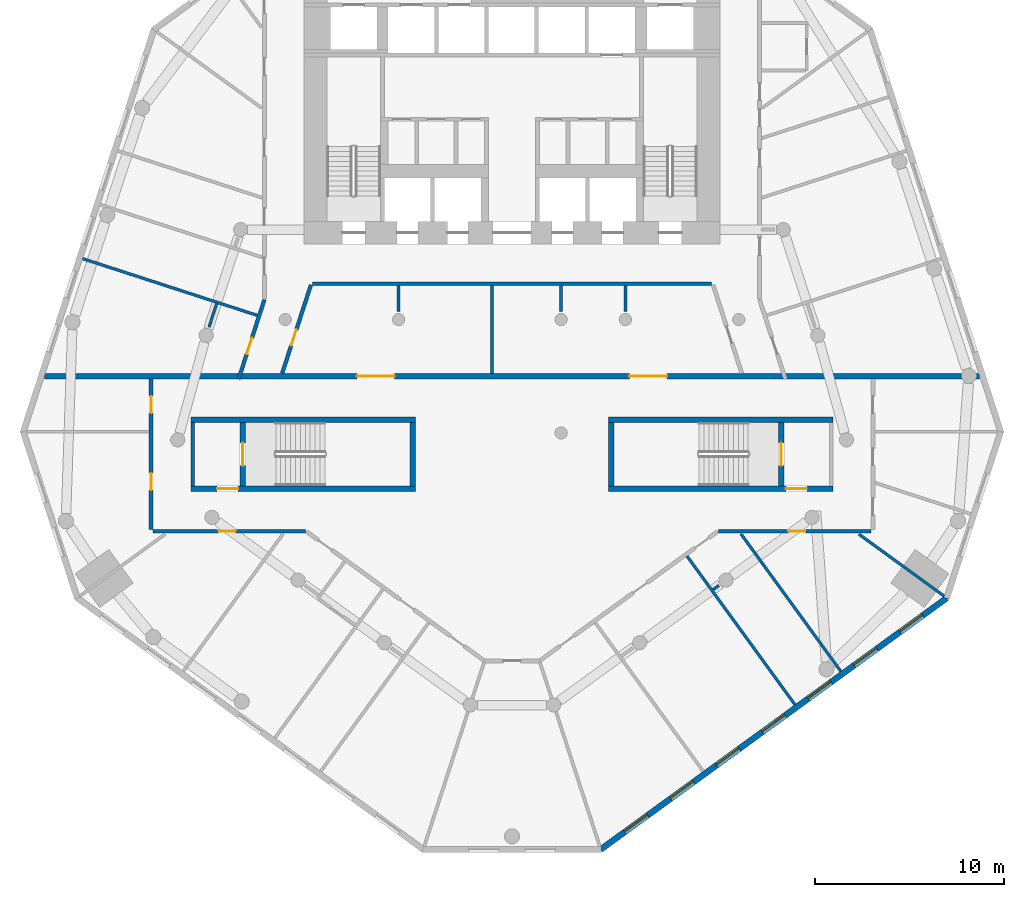
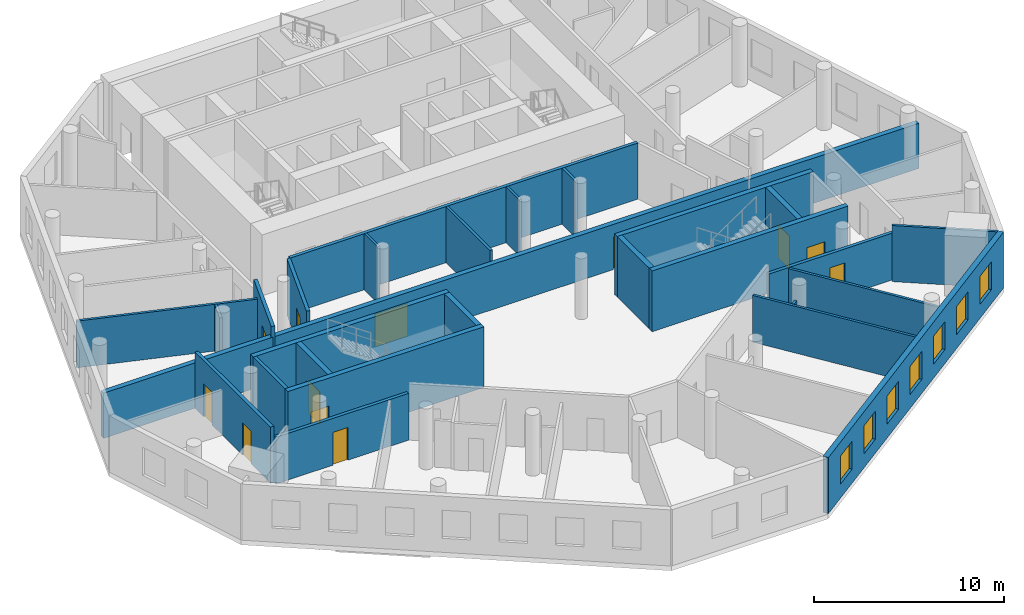
# One storey, part 3 of 9: 27 walls, 12 doors, 7 windows, 19 openings.
"""IFC4 building model written with IfcOpenShell, lengths in metres."""

from ifc_helpers import new_model, si_unit, direction, frame, frame_2d, origin, place, context, subcontext, project, spatial, rectangle, extrude, material, layer, layer_set, type_object, element, fill, save


model = new_model("IFC4")

# Units and contexts
model_context = context("Model", 3, precision=1e-05, world=origin(), true_north=direction((0.0, 1.0)))
body_context = subcontext(model_context, "Body", "Model", "MODEL_VIEW")
ifc_project = project(units=[si_unit("LENGTHUNIT", "METRE"), si_unit("AREAUNIT", "SQUARE_METRE"), si_unit("VOLUMEUNIT", "CUBIC_METRE"), si_unit("PLANEANGLEUNIT", "RADIAN"), si_unit("MASSUNIT", "GRAM", prefix="KILO")], contexts=[model_context])

# Site, building, storey
site_placement = place(None, origin())
site = spatial("IfcSite", under=ifc_project, at=site_placement, CompositionType="ELEMENT")
building_placement = place(site_placement, origin())
building = spatial("IfcBuilding", under=site, at=building_placement, Name="White Candle Pilgrim Tower", CompositionType="ELEMENT")
storey_placement = place(building_placement, frame((0.0, 0.0, 81.89990234375)))
storey = spatial("IfcBuildingStorey", under=building, at=storey_placement, Name="L17", CompositionType="ELEMENT", Elevation=81.89990234375)

# Wall
ifc_material_1 = material(Name="Concrete C70/85", Category="concrete")
ifc_layer_1 = layer(ifc_material_1, 0.199951171875)
ifc_layer_set_1 = layer_set([ifc_layer_1], Name="Core wall 200 mm Concrete C70/85")
wall_type_1 = type_object("IfcWallType", Name="Core wall 200 mm Concrete C70/85", PredefinedType="SHEAR", material=ifc_layer_set_1)
wall_1_placement = place(storey_placement, frame((53.10009765625, 58.199951171875, 0.0), z_axis=(0.0, 0.0, 1.0), x_axis=(0.0, 1.0, 0.0)))
element("IfcWall", 1, at=wall_1_placement, inside=storey, type_object=wall_type_1, Name="WL-L17-C03", PredefinedType="SHEAR", context=body_context, shape_type="SweptSolid", body=[
    extrude(rectangle(XDim=3.35009765625, YDim=0.199951171875, at=frame_2d((1.675048828125, 0.0))), origin(), (0.0, 0.0, 1.0), 3.900146484375),
])

# Wall, opening, door
ifc_material_2 = material(Name="Gypsum board on steel studs", Category="steel")
ifc_layer_2 = layer(ifc_material_2, 0.199951171875)
ifc_layer_set_2 = layer_set([ifc_layer_2], Name="Corridor wall 200 mm EI 45")
wall_type_2 = type_object("IfcWallType", Name="Corridor wall 200 mm EI 45", PredefinedType="PARTITIONING", material=ifc_layer_set_2)
wall_2_placement = place(storey_placement, frame((55.53173828125, 63.85009765625, 0.0), z_axis=(0.0, 0.0, 1.0), x_axis=(0.309013495578, 0.951057653116, 0.0)))
wall_2 = element("IfcWall", 2, at=wall_2_placement, inside=storey, type_object=wall_type_2, Name="WL-L17-P002", PredefinedType="PARTITIONING", context=body_context, shape_type="SweptSolid", body=[
    extrude(rectangle(XDim=4.41162109375, YDim=0.199951171875, at=frame_2d((2.205810546875, 0.0))), origin(), (0.0, 0.0, 1.0), 3.60009765625),
])
opening_1_placement = place(wall_2_placement, frame((1.395751953125, 0.0, 0.0)))
opening_1 = element("IfcOpeningElement", 3, at=opening_1_placement, cuts=wall_2, Name="Opening T05-118", PredefinedType="OPENING", context=body_context, shape_type="SweptSolid", body=[
    extrude(rectangle(XDim=0.89990234375, YDim=2.10009765625, at=frame_2d((0.449951171875, 1.050048828125))), frame((0.0, 0.10986328125, 0.0), z_axis=(0.0, -1.0, 0.0), x_axis=(1.0, 0.0, 0.0)), (0.0, 0.0, 1.0), 0.219970703125),
])
ifc_material_3 = material(Name="Steel door leaf", Category="steel")
door_type_1 = type_object("IfcDoorType", Name="Fire door 900 x 2100 EI 30", OperationType="NOTDEFINED", PredefinedType="DOOR", material=ifc_material_3)
door_1_placement = place(opening_1_placement, origin())
door_1 = element("IfcDoor", 4, at=door_1_placement, inside=storey, type_object=door_type_1, Name="Door T05-118", OperationType="SINGLE_SWING_RIGHT", OverallHeight=2.10009765625, OverallWidth=0.89990234375, PredefinedType="DOOR", context=body_context, shape_type="SweptSolid", body=[
    extrude(rectangle(XDim=0.89990234375, YDim=2.10009765625, at=frame_2d((0.449951171875, 1.050048828125))), frame((0.0, 0.02490234375, 0.0), z_axis=(0.0, -1.0, 0.0), x_axis=(1.0, 0.0, 0.0)), (0.0, 0.0, 1.0), 0.050048828125),
])
fill(opening_1, door_1)

wall_3_placement = place(storey_placement, frame((89.0, 55.800048828125, 0.0), z_axis=(0.0, 0.0, 1.0), x_axis=(-1.0, 0.0, 0.0)))
wall_3 = element("IfcWall", 5, at=wall_3_placement, inside=storey, type_object=wall_type_2, Name="WL-L17-P007", PredefinedType="PARTITIONING", context=body_context, shape_type="SweptSolid", body=[
    extrude(rectangle(XDim=8.067138671875, YDim=0.199951171875, at=frame_2d((4.03369140625, 0.0))), origin(), (0.0, 0.0, 1.0), 3.0),
])
opening_2_placement = place(wall_3_placement, frame((3.4736328125, 0.0, 0.0)))
opening_2 = element("IfcOpeningElement", 6, at=opening_2_placement, cuts=wall_3, Name="Opening T05-111", PredefinedType="OPENING", context=body_context, shape_type="SweptSolid", body=[
    extrude(rectangle(XDim=0.89990234375, YDim=2.10009765625, at=frame_2d((0.449951171875, 1.050048828125))), frame((0.0, 0.10986328125, 0.0), z_axis=(0.0, -1.0, 0.0), x_axis=(1.0, 0.0, 0.0)), (0.0, 0.0, 1.0), 0.219970703125),
])
door_2_placement = place(opening_2_placement, origin())
door_2 = element("IfcDoor", 7, at=door_2_placement, inside=storey, type_object=door_type_1, Name="Door T05-111", OperationType="SINGLE_SWING_LEFT", OverallHeight=2.10009765625, OverallWidth=0.89990234375, PredefinedType="DOOR", context=body_context, shape_type="SweptSolid", body=[
    extrude(rectangle(XDim=0.89990234375, YDim=2.10009765625, at=frame_2d((0.449951171875, 1.050048828125))), frame((0.0, 0.02490234375, 0.0), z_axis=(0.0, -1.0, 0.0), x_axis=(1.0, 0.0, 0.0)), (0.0, 0.0, 1.0), 0.050048828125),
])
fill(opening_2, door_2)

wall_4_placement = place(storey_placement, frame((59.067138671875, 55.800048828125, 0.0), z_axis=(0.0, 0.0, 1.0), x_axis=(-1.0, 0.0, 0.0)))
wall_4 = element("IfcWall", 8, at=wall_4_placement, inside=storey, type_object=wall_type_2, Name="WL-L17-P011", PredefinedType="PARTITIONING", context=body_context, shape_type="SweptSolid", body=[
    extrude(rectangle(XDim=8.067138671875, YDim=0.199951171875, at=frame_2d((4.03369140625, 0.0))), origin(), (0.0, 0.0, 1.0), 3.0),
])
opening_3_placement = place(wall_4_placement, frame((3.693603515625, 0.0, 0.0)))
opening_3 = element("IfcOpeningElement", 9, at=opening_3_placement, cuts=wall_4, Name="Opening T05-102", PredefinedType="OPENING", context=body_context, shape_type="SweptSolid", body=[
    extrude(rectangle(XDim=0.89990234375, YDim=2.10009765625, at=frame_2d((0.449951171875, 1.050048828125))), frame((0.0, 0.10986328125, 0.0), z_axis=(0.0, -1.0, 0.0), x_axis=(1.0, 0.0, 0.0)), (0.0, 0.0, 1.0), 0.219970703125),
])
door_3_placement = place(opening_3_placement, origin())
door_3 = element("IfcDoor", 10, at=door_3_placement, inside=storey, type_object=door_type_1, Name="Door T05-102", OperationType="SINGLE_SWING_RIGHT", OverallHeight=2.10009765625, OverallWidth=0.89990234375, PredefinedType="DOOR", context=body_context, shape_type="SweptSolid", body=[
    extrude(rectangle(XDim=0.89990234375, YDim=2.10009765625, at=frame_2d((0.449951171875, 1.050048828125))), frame((0.0, 0.02490234375, 0.0), z_axis=(0.0, -1.0, 0.0), x_axis=(1.0, 0.0, 0.0)), (0.0, 0.0, 1.0), 0.050048828125),
])
fill(opening_3, door_3)

# Wall, openings, doors
wall_5_placement = place(storey_placement, frame((50.89990234375, 55.89990234375, 0.0), z_axis=(0.0, 0.0, 1.0), x_axis=(0.0, 1.0, 0.0)))
wall_5 = element("IfcWall", 11, at=wall_5_placement, inside=storey, type_object=wall_type_2, Name="WL-L17-P012", PredefinedType="PARTITIONING", context=body_context, shape_type="SweptSolid", body=[
    extrude(rectangle(XDim=7.9501953125, YDim=0.199951171875, at=frame_2d((3.97509765625, 0.0))), origin(), (0.0, 0.0, 1.0), 3.60009765625),
])
opening_4_placement = place(wall_5_placement, frame((2.079833984375, 0.0, 0.0)))
opening_4 = element("IfcOpeningElement", 12, at=opening_4_placement, cuts=wall_5, Name="Opening T05-101", PredefinedType="OPENING", context=body_context, shape_type="SweptSolid", body=[
    extrude(rectangle(XDim=0.89990234375, YDim=2.10009765625, at=frame_2d((0.449951171875, 1.050048828125))), frame((0.0, 0.10986328125, 0.0), z_axis=(0.0, -1.0, 0.0), x_axis=(1.0, 0.0, 0.0)), (0.0, 0.0, 1.0), 0.219970703125),
])
opening_5_placement = place(wall_5_placement, frame((6.142333984375, 0.0, 0.0)))
opening_5 = element("IfcOpeningElement", 13, at=opening_5_placement, cuts=wall_5, Name="Opening T05-117", PredefinedType="OPENING", context=body_context, shape_type="SweptSolid", body=[
    extrude(rectangle(XDim=0.89990234375, YDim=2.10009765625, at=frame_2d((0.449951171875, 1.050048828125))), frame((0.0, 0.10986328125, 0.0), z_axis=(0.0, -1.0, 0.0), x_axis=(1.0, 0.0, 0.0)), (0.0, 0.0, 1.0), 0.219970703125),
])
door_4_placement = place(opening_4_placement, origin())
door_4 = element("IfcDoor", 14, at=door_4_placement, inside=storey, type_object=door_type_1, Name="Door T05-101", OperationType="SINGLE_SWING_LEFT", OverallHeight=2.10009765625, OverallWidth=0.89990234375, PredefinedType="DOOR", context=body_context, shape_type="SweptSolid", body=[
    extrude(rectangle(XDim=0.89990234375, YDim=2.10009765625, at=frame_2d((0.449951171875, 1.050048828125))), frame((0.0, 0.02490234375, 0.0), z_axis=(0.0, -1.0, 0.0), x_axis=(1.0, 0.0, 0.0)), (0.0, 0.0, 1.0), 0.050048828125),
])
fill(opening_4, door_4)
door_5_placement = place(opening_5_placement, origin())
door_5 = element("IfcDoor", 15, at=door_5_placement, inside=storey, type_object=door_type_1, Name="Door T05-117", OperationType="SINGLE_SWING_LEFT", OverallHeight=2.10009765625, OverallWidth=0.89990234375, PredefinedType="DOOR", context=body_context, shape_type="SweptSolid", body=[
    extrude(rectangle(XDim=0.89990234375, YDim=2.10009765625, at=frame_2d((0.449951171875, 1.050048828125))), frame((0.0, 0.02490234375, 0.0), z_axis=(0.0, -1.0, 0.0), x_axis=(1.0, 0.0, 0.0)), (0.0, 0.0, 1.0), 0.050048828125),
])
fill(opening_5, door_5)

# Wall
wall_6_placement = place(storey_placement, frame((80.546630859375, 68.89990234375, 0.0), z_axis=(0.0, 0.0, 1.0), x_axis=(-1.0, 0.0, 0.0)))
element("IfcWall", 16, at=wall_6_placement, inside=storey, type_object=wall_type_2, Name="WL-L17-P013", PredefinedType="PARTITIONING", context=body_context, shape_type="SweptSolid", body=[
    extrude(rectangle(XDim=21.09326171875, YDim=0.199951171875, at=frame_2d((10.546630859375, 0.0))), origin(), (0.0, 0.0, 1.0), 3.60009765625),
])

# Wall, opening, door
wall_7_placement = place(storey_placement, frame((59.358154296875, 68.830810546875, 0.0), z_axis=(0.0, 0.0, 1.0), x_axis=(-0.308986244793, -0.95106650689, 0.0)))
wall_7 = element("IfcWall", 17, at=wall_7_placement, inside=storey, type_object=wall_type_2, Name="WL-L17-P014", PredefinedType="PARTITIONING", context=body_context, shape_type="SweptSolid", body=[
    extrude(rectangle(XDim=4.921630859375, YDim=0.199951171875, at=frame_2d((2.4609375, 0.0))), origin(), (0.0, 0.0, 1.0), 3.60009765625),
])
opening_6_placement = place(wall_7_placement, frame((2.4716796875, 0.0, 0.0)))
opening_6 = element("IfcOpeningElement", 18, at=opening_6_placement, cuts=wall_7, Name="Opening T05-131", PredefinedType="OPENING", context=body_context, shape_type="SweptSolid", body=[
    extrude(rectangle(XDim=0.89990234375, YDim=2.10009765625, at=frame_2d((0.449951171875, 1.050048828125))), frame((0.0, 0.10986328125, 0.0), z_axis=(0.0, -1.0, 0.0), x_axis=(1.0, 0.0, 0.0)), (0.0, 0.0, 1.0), 0.219970703125),
])
door_6_placement = place(opening_6_placement, origin())
door_6 = element("IfcDoor", 19, at=door_6_placement, inside=storey, type_object=door_type_1, Name="Door T05-131", OperationType="SINGLE_SWING_LEFT", OverallHeight=2.10009765625, OverallWidth=0.89990234375, PredefinedType="DOOR", context=body_context, shape_type="SweptSolid", body=[
    extrude(rectangle(XDim=0.89990234375, YDim=2.10009765625, at=frame_2d((0.449951171875, 1.050048828125))), frame((0.0, 0.02490234375, 0.0), z_axis=(0.0, -1.0, 0.0), x_axis=(1.0, 0.0, 0.0)), (0.0, 0.0, 1.0), 0.050048828125),
])
fill(opening_6, door_6)

# Wall, openings, windows
ifc_material_4 = material(Name="Precast concrete C40/50", Category="concrete")
ifc_layer_3 = layer(ifc_material_4, 0.320068359375)
ifc_layer_set_3 = layer_set([ifc_layer_3], Name="Facade wall EW1 precast concrete C40/50 pier wall with timber-lined reveals")
wall_type_3 = type_object("IfcWallType", Name="Facade wall EW1 precast concrete C40/50 pier wall with timber-lined reveals", PredefinedType="SOLIDWALL", material=ifc_layer_set_3)
wall_8_placement = place(storey_placement, frame((74.697021484375, 38.95703125, 0.0), z_axis=(0.0, 0.0, 1.0), x_axis=(0.809016763711, 0.587785569774, 0.0)))
wall_8 = element("IfcWall", 20, at=wall_8_placement, inside=storey, type_object=wall_type_3, Name="Facade wall L17 SE", PredefinedType="SOLIDWALL", context=body_context, shape_type="SweptSolid", body=[
    extrude(rectangle(XDim=22.635986328125, YDim=0.320068359375, at=frame_2d((11.31787109375, 0.0))), origin(), (0.0, 0.0, 1.0), 3.60009765625),
])
opening_7_placement = place(wall_8_placement, frame((1.568115234375, 0.0, 0.89990234375)))
opening_7 = element("IfcOpeningElement", 21, at=opening_7_placement, cuts=wall_8, Name="Opening W1", PredefinedType="OPENING", context=body_context, shape_type="SweptSolid", body=[
    extrude(rectangle(XDim=1.5, YDim=1.800048828125, at=frame_2d((0.75, 0.89990234375))), frame((0.0, 0.169921875, 0.0), z_axis=(0.0, -1.0, 0.0), x_axis=(1.0, 0.0, 0.0)), (0.0, 0.0, 1.0), 0.340087890625),
])
opening_8_placement = place(wall_8_placement, frame((4.568115234375, 0.0, 0.89990234375)))
opening_8 = element("IfcOpeningElement", 22, at=opening_8_placement, cuts=wall_8, Name="Opening W1", PredefinedType="OPENING", context=body_context, shape_type="SweptSolid", body=[
    extrude(rectangle(XDim=1.5, YDim=1.800048828125, at=frame_2d((0.75, 0.89990234375))), frame((0.0, 0.169921875, 0.0), z_axis=(0.0, -1.0, 0.0), x_axis=(1.0, 0.0, 0.0)), (0.0, 0.0, 1.0), 0.340087890625),
])
opening_9_placement = place(wall_8_placement, frame((7.568115234375, 0.0, 0.89990234375)))
opening_9 = element("IfcOpeningElement", 23, at=opening_9_placement, cuts=wall_8, Name="Opening W1", PredefinedType="OPENING", context=body_context, shape_type="SweptSolid", body=[
    extrude(rectangle(XDim=1.5, YDim=1.800048828125, at=frame_2d((0.75, 0.89990234375))), frame((0.0, 0.169921875, 0.0), z_axis=(0.0, -1.0, 0.0), x_axis=(1.0, 0.0, 0.0)), (0.0, 0.0, 1.0), 0.340087890625),
])
opening_10_placement = place(wall_8_placement, frame((10.568115234375, 0.0, 0.89990234375)))
opening_10 = element("IfcOpeningElement", 24, at=opening_10_placement, cuts=wall_8, Name="Opening W1", PredefinedType="OPENING", context=body_context, shape_type="SweptSolid", body=[
    extrude(rectangle(XDim=1.5, YDim=1.800048828125, at=frame_2d((0.75, 0.89990234375))), frame((0.0, 0.169921875, 0.0), z_axis=(0.0, -1.0, 0.0), x_axis=(1.0, 0.0, 0.0)), (0.0, 0.0, 1.0), 0.340087890625),
])
opening_11_placement = place(wall_8_placement, frame((13.568115234375, 0.0, 0.89990234375)))
opening_11 = element("IfcOpeningElement", 25, at=opening_11_placement, cuts=wall_8, Name="Opening W1", PredefinedType="OPENING", context=body_context, shape_type="SweptSolid", body=[
    extrude(rectangle(XDim=1.5, YDim=1.800048828125, at=frame_2d((0.75, 0.89990234375))), frame((0.0, 0.169921875, 0.0), z_axis=(0.0, -1.0, 0.0), x_axis=(1.0, 0.0, 0.0)), (0.0, 0.0, 1.0), 0.340087890625),
])
opening_12_placement = place(wall_8_placement, frame((16.568115234375, 0.0, 0.89990234375)))
opening_12 = element("IfcOpeningElement", 26, at=opening_12_placement, cuts=wall_8, Name="Opening W1", PredefinedType="OPENING", context=body_context, shape_type="SweptSolid", body=[
    extrude(rectangle(XDim=1.5, YDim=1.800048828125, at=frame_2d((0.75, 0.89990234375))), frame((0.0, 0.169921875, 0.0), z_axis=(0.0, -1.0, 0.0), x_axis=(1.0, 0.0, 0.0)), (0.0, 0.0, 1.0), 0.340087890625),
])
opening_13_placement = place(wall_8_placement, frame((19.568115234375, 0.0, 0.89990234375)))
opening_13 = element("IfcOpeningElement", 27, at=opening_13_placement, cuts=wall_8, Name="Opening W1", PredefinedType="OPENING", context=body_context, shape_type="SweptSolid", body=[
    extrude(rectangle(XDim=1.5, YDim=1.800048828125, at=frame_2d((0.75, 0.89990234375))), frame((0.0, 0.169921875, 0.0), z_axis=(0.0, -1.0, 0.0), x_axis=(1.0, 0.0, 0.0)), (0.0, 0.0, 1.0), 0.340087890625),
])
ifc_material_5 = material(Name="Timber frame with triple glazing", Category="wood")
window_type = type_object("IfcWindowType", Name="Window W1 1500x1800 timber frame triple glazing", PartitioningType="SINGLE_PANEL", PredefinedType="WINDOW", material=ifc_material_5)
window_1_placement = place(opening_7_placement, origin())
window_1 = element("IfcWindow", 28, at=window_1_placement, inside=storey, type_object=window_type, Name="Window W1 L17 SE 1", OverallHeight=1.800048828125, OverallWidth=1.5, PartitioningType="SINGLE_PANEL", PredefinedType="WINDOW", context=body_context, shape_type="SweptSolid", body=[
    extrude(rectangle(XDim=1.5, YDim=1.800048828125, at=frame_2d((0.75, 0.89990234375))), frame((0.0, 0.070068359375, 0.0), z_axis=(0.0, -1.0, 0.0), x_axis=(1.0, 0.0, 0.0)), (0.0, 0.0, 1.0), 0.06005859375),
])
fill(opening_7, window_1)
window_2_placement = place(opening_8_placement, origin())
window_2 = element("IfcWindow", 29, at=window_2_placement, inside=storey, type_object=window_type, Name="Window W1 L17 SE 2", OverallHeight=1.800048828125, OverallWidth=1.5, PartitioningType="SINGLE_PANEL", PredefinedType="WINDOW", context=body_context, shape_type="SweptSolid", body=[
    extrude(rectangle(XDim=1.5, YDim=1.800048828125, at=frame_2d((0.75, 0.89990234375))), frame((0.0, 0.070068359375, 0.0), z_axis=(0.0, -1.0, 0.0), x_axis=(1.0, 0.0, 0.0)), (0.0, 0.0, 1.0), 0.06005859375),
])
fill(opening_8, window_2)
window_3_placement = place(opening_9_placement, origin())
window_3 = element("IfcWindow", 30, at=window_3_placement, inside=storey, type_object=window_type, Name="Window W1 L17 SE 3", OverallHeight=1.800048828125, OverallWidth=1.5, PartitioningType="SINGLE_PANEL", PredefinedType="WINDOW", context=body_context, shape_type="SweptSolid", body=[
    extrude(rectangle(XDim=1.5, YDim=1.800048828125, at=frame_2d((0.75, 0.89990234375))), frame((0.0, 0.070068359375, 0.0), z_axis=(0.0, -1.0, 0.0), x_axis=(1.0, 0.0, 0.0)), (0.0, 0.0, 1.0), 0.06005859375),
])
fill(opening_9, window_3)
window_4_placement = place(opening_10_placement, origin())
window_4 = element("IfcWindow", 31, at=window_4_placement, inside=storey, type_object=window_type, Name="Window W1 L17 SE 4", OverallHeight=1.800048828125, OverallWidth=1.5, PartitioningType="SINGLE_PANEL", PredefinedType="WINDOW", context=body_context, shape_type="SweptSolid", body=[
    extrude(rectangle(XDim=1.5, YDim=1.800048828125, at=frame_2d((0.75, 0.89990234375))), frame((0.0, 0.070068359375, 0.0), z_axis=(0.0, -1.0, 0.0), x_axis=(1.0, 0.0, 0.0)), (0.0, 0.0, 1.0), 0.06005859375),
])
fill(opening_10, window_4)
window_5_placement = place(opening_11_placement, origin())
window_5 = element("IfcWindow", 32, at=window_5_placement, inside=storey, type_object=window_type, Name="Window W1 L17 SE 5", OverallHeight=1.800048828125, OverallWidth=1.5, PartitioningType="SINGLE_PANEL", PredefinedType="WINDOW", context=body_context, shape_type="SweptSolid", body=[
    extrude(rectangle(XDim=1.5, YDim=1.800048828125, at=frame_2d((0.75, 0.89990234375))), frame((0.0, 0.070068359375, 0.0), z_axis=(0.0, -1.0, 0.0), x_axis=(1.0, 0.0, 0.0)), (0.0, 0.0, 1.0), 0.06005859375),
])
fill(opening_11, window_5)
window_6_placement = place(opening_12_placement, origin())
window_6 = element("IfcWindow", 33, at=window_6_placement, inside=storey, type_object=window_type, Name="Window W1 L17 SE 6", OverallHeight=1.800048828125, OverallWidth=1.5, PartitioningType="SINGLE_PANEL", PredefinedType="WINDOW", context=body_context, shape_type="SweptSolid", body=[
    extrude(rectangle(XDim=1.5, YDim=1.800048828125, at=frame_2d((0.75, 0.89990234375))), frame((0.0, 0.070068359375, 0.0), z_axis=(0.0, -1.0, 0.0), x_axis=(1.0, 0.0, 0.0)), (0.0, 0.0, 1.0), 0.06005859375),
])
fill(opening_12, window_6)
window_7_placement = place(opening_13_placement, origin())
window_7 = element("IfcWindow", 34, at=window_7_placement, inside=storey, type_object=window_type, Name="Window W1 L17 SE 7", OverallHeight=1.800048828125, OverallWidth=1.5, PartitioningType="SINGLE_PANEL", PredefinedType="WINDOW", context=body_context, shape_type="SweptSolid", body=[
    extrude(rectangle(XDim=1.5, YDim=1.800048828125, at=frame_2d((0.75, 0.89990234375))), frame((0.0, 0.070068359375, 0.0), z_axis=(0.0, -1.0, 0.0), x_axis=(1.0, 0.0, 0.0)), (0.0, 0.0, 1.0), 0.06005859375),
])
fill(opening_13, window_7)

# Wall, openings, doors
ifc_material_6 = material(Name="Aerated concrete block", Category="concrete")
ifc_layer_4 = layer(ifc_material_6, 0.300048828125)
ifc_layer_set_4 = layer_set([ifc_layer_4], Name="Fire wall 300 mm REI 240")
wall_type_4 = type_object("IfcWallType", Name="Fire wall 300 mm REI 240", PredefinedType="PARTITIONING", material=ifc_layer_set_4)
wall_9_placement = place(storey_placement, frame((45.255126953125, 64.0, 0.0), z_axis=(0.0, 0.0, 1.0), x_axis=(1.0, 0.0, 0.0)))
wall_9 = element("IfcWall", 35, at=wall_9_placement, inside=storey, type_object=wall_type_4, Name="WL-L17-P001", PredefinedType="PARTITIONING", context=body_context, shape_type="SweptSolid", body=[
    extrude(rectangle(XDim=49.48974609375, YDim=0.300048828125, at=frame_2d((24.744873046875, 0.0))), origin(), (0.0, 0.0, 1.0), 2.900146484375),
])
opening_14_placement = place(wall_9_placement, frame((16.53515625, 0.0, 0.0)))
opening_14 = element("IfcOpeningElement", 36, at=opening_14_placement, cuts=wall_9, Name="Opening T05-115", PredefinedType="OPENING", context=body_context, shape_type="SweptSolid", body=[
    extrude(rectangle(XDim=2.0, YDim=2.10009765625, at=frame_2d((1.0, 1.050048828125))), frame((0.0, 0.159912109375, 0.0), z_axis=(0.0, -1.0, 0.0), x_axis=(1.0, 0.0, 0.0)), (0.0, 0.0, 1.0), 0.320068359375),
])
opening_15_placement = place(wall_9_placement, frame((30.95458984375, 0.0, 0.0)))
opening_15 = element("IfcOpeningElement", 37, at=opening_15_placement, cuts=wall_9, Name="Opening T05-116", PredefinedType="OPENING", context=body_context, shape_type="SweptSolid", body=[
    extrude(rectangle(XDim=2.0, YDim=2.10009765625, at=frame_2d((1.0, 1.050048828125))), frame((0.0, 0.159912109375, 0.0), z_axis=(0.0, -1.0, 0.0), x_axis=(1.0, 0.0, 0.0)), (0.0, 0.0, 1.0), 0.320068359375),
])
door_type_2 = type_object("IfcDoorType", Name="Fire door 2000 x 2100 EI 60", OperationType="NOTDEFINED", PredefinedType="DOOR", material=ifc_material_3)
door_7_placement = place(opening_14_placement, origin())
door_7 = element("IfcDoor", 38, at=door_7_placement, inside=storey, type_object=door_type_2, Name="Door T05-115", OperationType="DOUBLE_DOOR_SINGLE_SWING", OverallHeight=2.10009765625, OverallWidth=2.0, PredefinedType="DOOR", context=body_context, shape_type="SweptSolid", body=[
    extrude(rectangle(XDim=2.0, YDim=2.10009765625, at=frame_2d((1.0, 1.050048828125))), frame((0.0, 0.02490234375, 0.0), z_axis=(0.0, -1.0, 0.0), x_axis=(1.0, 0.0, 0.0)), (0.0, 0.0, 1.0), 0.050048828125),
])
fill(opening_14, door_7)
door_8_placement = place(opening_15_placement, origin())
door_8 = element("IfcDoor", 39, at=door_8_placement, inside=storey, type_object=door_type_2, Name="Door T05-116", OperationType="DOUBLE_DOOR_SINGLE_SWING", OverallHeight=2.10009765625, OverallWidth=2.0, PredefinedType="DOOR", context=body_context, shape_type="SweptSolid", body=[
    extrude(rectangle(XDim=2.0, YDim=2.10009765625, at=frame_2d((1.0, 1.050048828125))), frame((0.0, 0.02490234375, 0.0), z_axis=(0.0, -1.0, 0.0), x_axis=(1.0, 0.0, 0.0)), (0.0, 0.0, 1.0), 0.050048828125),
])
fill(opening_15, door_8)

# Walls
ifc_layer_5 = layer(ifc_material_2, 0.14990234375)
ifc_layer_set_5 = layer_set([ifc_layer_5], Name="Partition 150 mm EI 60")
wall_type_5 = type_object("IfcWallType", Name="Partition 150 mm EI 60", PredefinedType="PARTITIONING", material=ifc_layer_set_5)
wall_10_placement = place(storey_placement, frame((92.873779296875, 52.361083984375, 0.0), z_axis=(0.0, 0.0, 1.0), x_axis=(-0.809016140997, 0.587786426864, 0.0)))
element("IfcWall", 40, at=wall_10_placement, inside=storey, type_object=wall_type_5, Name="WL-L17-P021", PredefinedType="PARTITIONING", context=body_context, shape_type="SweptSolid", body=[
    extrude(rectangle(XDim=5.577392578125, YDim=0.14990234375, at=frame_2d((2.78857421875, 0.0))), origin(), (0.0, 0.0, 1.0), 3.60009765625),
])
for number, where, z_axis, x_axis, name in (
    (41, (47.277587890625, 70.224365234375, 0.0), (0.0, 0.0, 1.0), (0.951054740035, -0.309022461088, 0.0), "WL-L17-P027"),
    (42, (84.972900390625, 46.62060546875, 0.0), (0.0, 0.0, 1.0), (-0.587769884111, 0.809028159789, 0.0), "WL-L17-P034"),
):
    element("IfcWall", number, at=place(storey_placement, frame(where, z_axis=z_axis, x_axis=x_axis)), inside=storey, type_object=wall_type_5, Name=name, PredefinedType="PARTITIONING", context=body_context, shape_type="SweptSolid", body=[
        extrude(rectangle(XDim=9.719970703125, YDim=0.14990234375, at=frame_2d((4.85986328125, 0.0))), origin(), (0.0, 0.0, 1.0), 3.0),
    ])
wall_11_placement = place(storey_placement, frame((87.39990234375, 48.384033203125, 0.0), z_axis=(0.0, 0.0, 1.0), x_axis=(-0.587771106094, 0.809027272001, 0.0)))
element("IfcWall", 43, at=wall_11_placement, inside=storey, type_object=wall_type_5, Name="WL-L17-P035", PredefinedType="PARTITIONING", context=body_context, shape_type="SweptSolid", body=[
    extrude(rectangle(XDim=8.988525390625, YDim=0.14990234375, at=frame_2d((4.494140625, 0.0))), origin(), (0.0, 0.0, 1.0), 3.0),
])
wall_12_placement = place(storey_placement, frame((68.94970703125, 64.14990234375, 0.0), z_axis=(0.0, 0.0, 1.0), x_axis=(0.0, 1.0, 0.0)))
element("IfcWall", 44, at=wall_12_placement, inside=storey, type_object=wall_type_5, Name="WL-L17-P043", PredefinedType="PARTITIONING", context=body_context, shape_type="SweptSolid", body=[
    extrude(rectangle(XDim=4.650146484375, YDim=0.14990234375, at=frame_2d((2.3251953125, 0.0))), origin(), (0.0, 0.0, 1.0), 3.60009765625),
])
wall_13_placement = place(storey_placement, frame((80.949462890625, 52.92919921875, 0.0), z_axis=(0.0, 0.0, 1.0), x_axis=(-0.808903685412, -0.587941177097, 0.0)))
element("IfcWall", 45, at=wall_13_placement, inside=storey, type_object=wall_type_5, Name="WL-L17-P047", PredefinedType="PARTITIONING", context=body_context, shape_type="SweptSolid", body=[
    extrude(rectangle(XDim=0.3779296875, YDim=0.14990234375, at=frame_2d((0.18896484375, 0.0))), origin(), (0.0, 0.0, 1.0), 3.0),
])
wall_14_placement = place(storey_placement, frame((53.967041015625, 66.60107421875, 0.0), z_axis=(0.0, 0.0, 1.0), x_axis=(0.308971747858, 0.95107121659, 0.0)))
element("IfcWall", 46, at=wall_14_placement, inside=storey, type_object=wall_type_5, Name="WL-L17-P051", PredefinedType="PARTITIONING", context=body_context, shape_type="SweptSolid", body=[
    extrude(rectangle(XDim=1.3037109375, YDim=0.14990234375, at=frame_2d((0.65185546875, 0.0))), origin(), (0.0, 0.0, 1.0), 3.0),
])
for number, where, z_axis, x_axis, name in (
    (47, (63.997802734375, 67.4150390625, 0.0), (0.0, 0.0, 1.0), (0.0, 1.0, 0.0), "WL-L17-P052"),
    (48, (72.59765625, 67.4150390625, 0.0), (0.0, 0.0, 1.0), (0.0, 1.0, 0.0), "WL-L17-P053"),
    (49, (75.997802734375, 67.4150390625, 0.0), (0.0, 0.0, 1.0), (0.0, 1.0, 0.0), "WL-L17-P054"),
):
    element("IfcWall", number, at=place(storey_placement, frame(where, z_axis=z_axis, x_axis=x_axis)), inside=storey, type_object=wall_type_5, Name=name, PredefinedType="PARTITIONING", context=body_context, shape_type="SweptSolid", body=[
        extrude(rectangle(XDim=1.385009765625, YDim=0.14990234375, at=frame_2d((0.6923828125, 0.0))), origin(), (0.0, 0.0, 1.0), 3.60009765625),
    ])

# Wall, opening, door
ifc_layer_6 = layer(ifc_material_1, 0.300048828125)
ifc_layer_set_6 = layer_set([ifc_layer_6], Name="Stair shaft wall 300 mm Concrete C70/85")
wall_type_6 = type_object("IfcWallType", Name="Stair shaft wall 300 mm Concrete C70/85", PredefinedType="SHEAR", material=ifc_layer_set_6)
wall_15_placement = place(storey_placement, frame((53.0, 58.050048828125, 0.0), z_axis=(0.0, 0.0, 1.0), x_axis=(1.0, 0.0, 0.0)))
wall_15 = element("IfcWall", 50, at=wall_15_placement, inside=storey, type_object=wall_type_6, Name="WL-L17-C01", PredefinedType="SHEAR", context=body_context, shape_type="SweptSolid", body=[
    extrude(rectangle(XDim=11.89990234375, YDim=0.300048828125, at=frame_2d((5.949951171875, 0.0))), origin(), (0.0, 0.0, 1.0), 3.900146484375),
])
opening_16_placement = place(wall_15_placement, frame((1.39990234375, 0.0, 0.0)))
opening_16 = element("IfcOpeningElement", 51, at=opening_16_placement, cuts=wall_15, Name="Opening T05-007", PredefinedType="OPENING", context=body_context, shape_type="SweptSolid", body=[
    extrude(rectangle(XDim=1.10009765625, YDim=2.10009765625, at=frame_2d((0.550048828125, 1.050048828125))), frame((0.0, 0.159912109375, 0.0), z_axis=(0.0, -1.0, 0.0), x_axis=(1.0, 0.0, 0.0)), (0.0, 0.0, 1.0), 0.320068359375),
])
door_type_3 = type_object("IfcDoorType", Name="Fire door 1100 x 2100 EI 60", OperationType="NOTDEFINED", PredefinedType="DOOR", material=ifc_material_3)
door_9_placement = place(opening_16_placement, origin())
door_9 = element("IfcDoor", 52, at=door_9_placement, inside=storey, type_object=door_type_3, Name="Door T05-007", OperationType="SINGLE_SWING_LEFT", OverallHeight=2.10009765625, OverallWidth=1.10009765625, PredefinedType="DOOR", context=body_context, shape_type="SweptSolid", body=[
    extrude(rectangle(XDim=1.10009765625, YDim=2.10009765625, at=frame_2d((0.550048828125, 1.050048828125))), frame((0.0, 0.02490234375, 0.0), z_axis=(0.0, -1.0, 0.0), x_axis=(1.0, 0.0, 0.0)), (0.0, 0.0, 1.0), 0.050048828125),
])
fill(opening_16, door_9)

wall_16_placement = place(storey_placement, frame((75.10009765625, 58.050048828125, 0.0), z_axis=(0.0, 0.0, 1.0), x_axis=(1.0, 0.0, 0.0)))
wall_16 = element("IfcWall", 53, at=wall_16_placement, inside=storey, type_object=wall_type_6, Name="WL-L17-C02", PredefinedType="SHEAR", context=body_context, shape_type="SweptSolid", body=[
    extrude(rectangle(XDim=11.89990234375, YDim=0.300048828125, at=frame_2d((5.949951171875, 0.0))), origin(), (0.0, 0.0, 1.0), 3.900146484375),
])
opening_17_placement = place(wall_16_placement, frame((9.39990234375, 0.0, 0.0)))
opening_17 = element("IfcOpeningElement", 54, at=opening_17_placement, cuts=wall_16, Name="Opening T05-009", PredefinedType="OPENING", context=body_context, shape_type="SweptSolid", body=[
    extrude(rectangle(XDim=1.10009765625, YDim=2.10009765625, at=frame_2d((0.550048828125, 1.050048828125))), frame((0.0, 0.159912109375, 0.0), z_axis=(0.0, -1.0, 0.0), x_axis=(1.0, 0.0, 0.0)), (0.0, 0.0, 1.0), 0.320068359375),
])
door_10_placement = place(opening_17_placement, origin())
door_10 = element("IfcDoor", 55, at=door_10_placement, inside=storey, type_object=door_type_3, Name="Door T05-009", OperationType="SINGLE_SWING_LEFT", OverallHeight=2.10009765625, OverallWidth=1.10009765625, PredefinedType="DOOR", context=body_context, shape_type="SweptSolid", body=[
    extrude(rectangle(XDim=1.10009765625, YDim=2.10009765625, at=frame_2d((0.550048828125, 1.050048828125))), frame((0.0, 0.02490234375, 0.0), z_axis=(0.0, -1.0, 0.0), x_axis=(1.0, 0.0, 0.0)), (0.0, 0.0, 1.0), 0.050048828125),
])
fill(opening_17, door_10)

wall_17_placement = place(storey_placement, frame((55.75, 58.199951171875, 0.0), z_axis=(0.0, 0.0, 1.0), x_axis=(0.0, 1.0, 0.0)))
wall_17 = element("IfcWall", 56, at=wall_17_placement, inside=storey, type_object=wall_type_6, Name="WL-L17-C04", PredefinedType="SHEAR", context=body_context, shape_type="SweptSolid", body=[
    extrude(rectangle(XDim=3.35009765625, YDim=0.300048828125, at=frame_2d((1.675048828125, 0.0))), origin(), (0.0, 0.0, 1.0), 3.900146484375),
])
opening_18_placement = place(wall_17_placement, frame((1.074951171875, 0.0, 0.0)))
opening_18 = element("IfcOpeningElement", 57, at=opening_18_placement, cuts=wall_17, Name="Opening T05-008", PredefinedType="OPENING", context=body_context, shape_type="SweptSolid", body=[
    extrude(rectangle(XDim=1.199951171875, YDim=2.10009765625, at=frame_2d((0.60009765625, 1.050048828125))), frame((0.0, 0.159912109375, 0.0), z_axis=(0.0, -1.0, 0.0), x_axis=(1.0, 0.0, 0.0)), (0.0, 0.0, 1.0), 0.320068359375),
])
door_type_4 = type_object("IfcDoorType", Name="Fire door 1200 x 2100 EI 60", OperationType="NOTDEFINED", PredefinedType="DOOR", material=ifc_material_3)
door_11_placement = place(opening_18_placement, frame((1.199951171875, 0.0, 0.0), z_axis=(0.0, 0.0, 1.0), x_axis=(-1.0, 0.0, 0.0)))
door_11 = element("IfcDoor", 58, at=door_11_placement, inside=storey, type_object=door_type_4, Name="Door T05-008", OperationType="SINGLE_SWING_LEFT", OverallHeight=2.10009765625, OverallWidth=1.199951171875, PredefinedType="DOOR", context=body_context, shape_type="SweptSolid", body=[
    extrude(rectangle(XDim=1.199951171875, YDim=2.10009765625, at=frame_2d((0.60009765625, 1.050048828125))), frame((0.0, 0.02490234375, 0.0), z_axis=(0.0, -1.0, 0.0), x_axis=(1.0, 0.0, 0.0)), (0.0, 0.0, 1.0), 0.050048828125),
])
fill(opening_18, door_11)

# Walls
for number, where, z_axis, x_axis, name in (
    (59, (64.75, 58.199951171875, 0.0), (0.0, 0.0, 1.0), (0.0, 1.0, 0.0), "WL-L17-C05"),
    (60, (75.25, 58.199951171875, 0.0), (0.0, 0.0, 1.0), (0.0, 1.0, 0.0), "WL-L17-C06"),
):
    element("IfcWall", number, at=place(storey_placement, frame(where, z_axis=z_axis, x_axis=x_axis)), inside=storey, type_object=wall_type_6, Name=name, PredefinedType="SHEAR", context=body_context, shape_type="SweptSolid", body=[
        extrude(rectangle(XDim=3.35009765625, YDim=0.300048828125, at=frame_2d((1.675048828125, 0.0))), origin(), (0.0, 0.0, 1.0), 3.900146484375),
    ])

# Wall, opening, door
wall_18_placement = place(storey_placement, frame((84.25, 58.199951171875, 0.0), z_axis=(0.0, 0.0, 1.0), x_axis=(0.0, 1.0, 0.0)))
wall_18 = element("IfcWall", 61, at=wall_18_placement, inside=storey, type_object=wall_type_6, Name="WL-L17-C07", PredefinedType="SHEAR", context=body_context, shape_type="SweptSolid", body=[
    extrude(rectangle(XDim=3.35009765625, YDim=0.300048828125, at=frame_2d((1.675048828125, 0.0))), origin(), (0.0, 0.0, 1.0), 3.900146484375),
])
opening_19_placement = place(wall_18_placement, frame((1.074951171875, 0.0, 0.0)))
opening_19 = element("IfcOpeningElement", 62, at=opening_19_placement, cuts=wall_18, Name="Opening T05-010", PredefinedType="OPENING", context=body_context, shape_type="SweptSolid", body=[
    extrude(rectangle(XDim=1.199951171875, YDim=2.10009765625, at=frame_2d((0.60009765625, 1.050048828125))), frame((0.0, 0.159912109375, 0.0), z_axis=(0.0, -1.0, 0.0), x_axis=(1.0, 0.0, 0.0)), (0.0, 0.0, 1.0), 0.320068359375),
])
door_12_placement = place(opening_19_placement, origin())
door_12 = element("IfcDoor", 63, at=door_12_placement, inside=storey, type_object=door_type_4, Name="Door T05-010", OperationType="SINGLE_SWING_RIGHT", OverallHeight=2.10009765625, OverallWidth=1.199951171875, PredefinedType="DOOR", context=body_context, shape_type="SweptSolid", body=[
    extrude(rectangle(XDim=1.199951171875, YDim=2.10009765625, at=frame_2d((0.60009765625, 1.050048828125))), frame((0.0, 0.02490234375, 0.0), z_axis=(0.0, -1.0, 0.0), x_axis=(1.0, 0.0, 0.0)), (0.0, 0.0, 1.0), 0.050048828125),
])
fill(opening_19, door_12)

# Walls
for number, where, z_axis, x_axis, name in (
    (64, (53.0, 61.699951171875, 0.0), (0.0, 0.0, 1.0), (1.0, 0.0, 0.0), "WL-L17-C09"),
    (65, (75.10009765625, 61.699951171875, 0.0), (0.0, 0.0, 1.0), (1.0, 0.0, 0.0), "WL-L17-C10"),
):
    element("IfcWall", number, at=place(storey_placement, frame(where, z_axis=z_axis, x_axis=x_axis)), inside=storey, type_object=wall_type_6, Name=name, PredefinedType="SHEAR", context=body_context, shape_type="SweptSolid", body=[
        extrude(rectangle(XDim=11.89990234375, YDim=0.300048828125, at=frame_2d((5.949951171875, 0.0))), origin(), (0.0, 0.0, 1.0), 3.900146484375),
    ])

save(model, "model.ifc")
